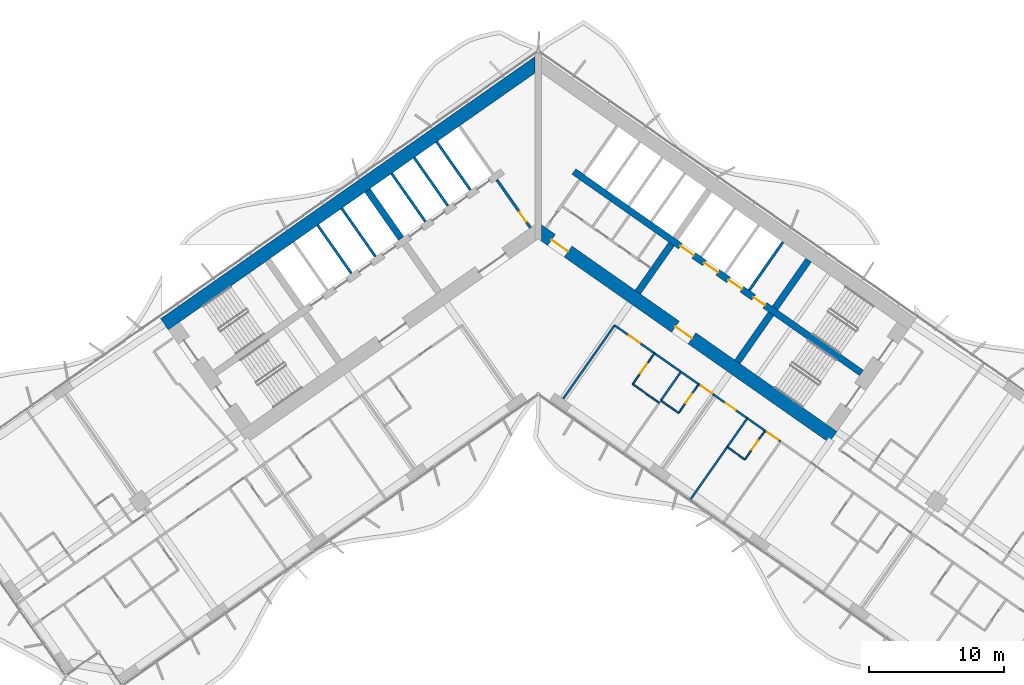
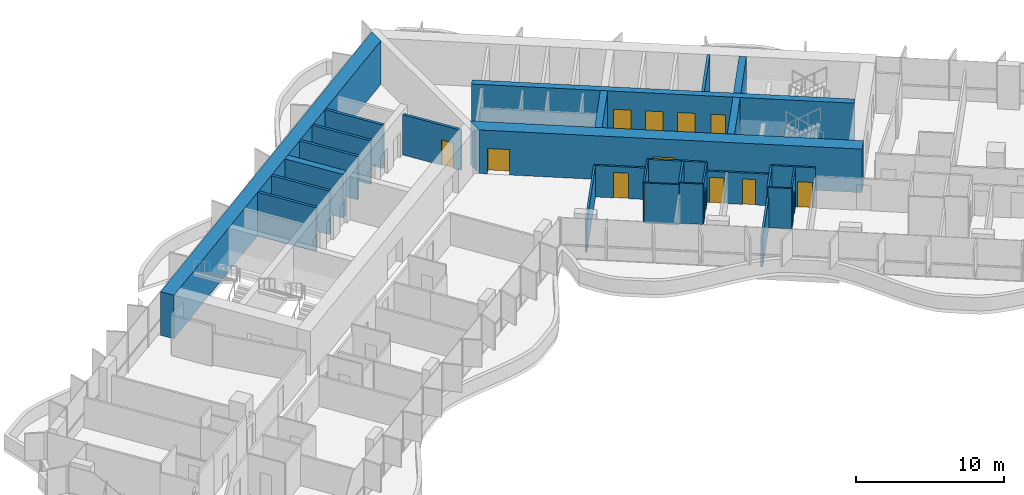
# One storey, part 15 of 24: 31 walls, 14 doors, 14 openings.
"""IFC4 building model written with IfcOpenShell, lengths in metres."""

from ifc_helpers import new_model, si_unit, direction, frame, frame_2d, origin, place, context, subcontext, project, spatial, polyline, rectangle, outline, extrude, material, layer, layer_set, type_object, element, fill, save


model = new_model("IFC4")

# Units and contexts
model_context = context("Model", 3, precision=1e-05, world=origin(), true_north=direction((0.0, 1.0)))
body_context = subcontext(model_context, "Body", "Model", "MODEL_VIEW")
ifc_project = project(units=[si_unit("LENGTHUNIT", "METRE"), si_unit("AREAUNIT", "SQUARE_METRE"), si_unit("VOLUMEUNIT", "CUBIC_METRE"), si_unit("PLANEANGLEUNIT", "RADIAN"), si_unit("MASSUNIT", "GRAM", prefix="KILO")], contexts=[model_context])

# Site, building, storey
site_placement = place(None, origin())
site = spatial("IfcSite", under=ifc_project, at=site_placement, CompositionType="ELEMENT")
building_placement = place(site_placement, origin())
building = spatial("IfcBuilding", under=site, at=building_placement, Name="Tel Ilan Convention Tower", CompositionType="ELEMENT")
storey_placement = place(building_placement, frame((0.0, 0.0, 65.300048828125)))
storey = spatial("IfcBuildingStorey", under=building, at=storey_placement, Name="L11", CompositionType="ELEMENT", Elevation=65.300048828125)

# Wall, opening, door
ifc_material_1 = material(Name="Concrete C30/37", Category="concrete")
ifc_layer_1 = layer(ifc_material_1, 0.199951171875)
ifc_layer_set_1 = layer_set([ifc_layer_1], Name="Core Service Room Wall 200 mm C30/37")
wall_type_1 = type_object("IfcWallType", Name="Core Service Room Wall 200 mm C30/37", PredefinedType="SOLIDWALL", material=ifc_layer_set_1)
wall_1_placement = place(storey_placement, frame((-0.573486328125, -0.401611328125, 0.0), z_axis=(0.0, 0.0, 1.0), x_axis=(-0.57356780395, 0.819158088694, 0.0)))
wall_1 = element("IfcWall", 1, at=wall_1_placement, inside=storey, type_object=wall_type_1, Name="L11 core wall apex-W", PredefinedType="SOLIDWALL", context=body_context, shape_type="SweptSolid", body=[
    extrude(rectangle(XDim=4.35009765625, YDim=0.199951171875, at=frame_2d((2.175048828125, 0.0))), origin(), (0.0, 0.0, 1.0), 3.320068359375),
])
opening_1_placement = place(wall_1_placement, frame((0.550048828125, 0.0, 0.0)))
opening_1 = element("IfcOpeningElement", 2, at=opening_1_placement, cuts=wall_1, Name="Opening CD1202", PredefinedType="OPENING", context=body_context, shape_type="SweptSolid", body=[
    extrude(rectangle(XDim=0.89990234375, YDim=2.10009765625, at=frame_2d((0.449951171875, 1.050048828125))), frame((0.0, 0.10986328125, 0.0), z_axis=(0.0, -1.0, 0.0), x_axis=(1.0, 0.0, 0.0)), (0.0, 0.0, 1.0), 0.219970703125),
])
ifc_material_2 = material(Name="Galvanised Steel Door Leaf", Category="steel")
door_type_1 = type_object("IfcDoorType", Name="Service Room Door 900 x 2100 FD60", OperationType="NOTDEFINED", PredefinedType="DOOR", material=ifc_material_2)
door_1_placement = place(opening_1_placement, origin())
door_1 = element("IfcDoor", 3, at=door_1_placement, inside=storey, type_object=door_type_1, Name="Telecom Room door", OperationType="SINGLE_SWING_RIGHT", OverallHeight=2.10009765625, OverallWidth=0.89990234375, PredefinedType="DOOR", context=body_context, shape_type="SweptSolid", body=[
    extrude(rectangle(XDim=0.89990234375, YDim=2.10009765625, at=frame_2d((0.449951171875, 1.050048828125))), frame((0.0, 0.02490234375, 0.0), z_axis=(0.0, -1.0, 0.0), x_axis=(1.0, 0.0, 0.0)), (0.0, 0.0, 1.0), 0.050048828125),
])
fill(opening_1, door_1)

# Wall
ifc_material_3 = material(Name="Concrete C60/75", Category="concrete")
ifc_layer_2 = layer(ifc_material_3, 1.0)
ifc_layer_set_2 = layer_set([ifc_layer_2], Name="Core Shear Wall 1000 mm C60/75")
wall_type_2 = type_object("IfcWallType", Name="Core Shear Wall 1000 mm C60/75", PredefinedType="SHEAR", material=ifc_layer_set_2)
wall_2_placement = place(storey_placement, frame((0.036865234375, 11.8671875, 0.0), z_axis=(0.0, 0.0, 1.0), x_axis=(-0.819155306259, -0.573571777746, 0.0)))
element("IfcWall", 4, at=wall_2_placement, inside=storey, type_object=wall_type_2, Name="L11 core wall W-back", PredefinedType="SHEAR", context=body_context, shape_type="SweptSolid", body=[
    extrude(outline(polyline([(33.8369140625, 0.5), (0.7001953125, 0.499755859375), (0.0, -0.5), (33.8369140625, -0.5), (33.8369140625, 0.5)])), origin(), (0.0, 0.0, 1.0), 3.599853515625),
])

# Wall, openings, doors
wall_3_placement = place(storey_placement, frame((-0.036865234375, -0.584716796875, 0.0), z_axis=(0.0, 0.0, 1.0), x_axis=(0.819157152511, -0.573569140985, 0.0)))
wall_3 = element("IfcWall", 5, at=wall_3_placement, inside=storey, type_object=wall_type_2, Name="L11 core wall E-front", PredefinedType="SHEAR", context=body_context, shape_type="SweptSolid", body=[
    extrude(outline(polyline([(26.69482421875, 0.499755859375), (0.0, 0.5), (0.7001953125, -0.499755859375), (26.69482421875, -0.500244140625), (26.69482421875, 0.499755859375)])), origin(), (0.0, 0.0, 1.0), 3.599853515625),
])
opening_2_placement = place(wall_3_placement, frame((1.244873046875, 0.0, 0.0)))
opening_2 = element("IfcOpeningElement", 6, at=opening_2_placement, cuts=wall_3, Name="Opening CD1203", PredefinedType="OPENING", context=body_context, shape_type="SweptSolid", body=[
    extrude(rectangle(XDim=1.5, YDim=2.10009765625, at=frame_2d((0.75, 1.050048828125))), frame((0.0, 0.510009765625, 0.0), z_axis=(0.0, -1.0, 0.0), x_axis=(1.0, 0.0, 0.0)), (0.0, 0.0, 1.0), 1.02001953125),
])
opening_3_placement = place(wall_3_placement, frame((12.44482421875, 0.0, 0.0)))
opening_3 = element("IfcOpeningElement", 7, at=opening_3_placement, cuts=wall_3, Name="Opening CD1204", PredefinedType="OPENING", context=body_context, shape_type="SweptSolid", body=[
    extrude(rectangle(XDim=1.5, YDim=2.10009765625, at=frame_2d((0.75, 1.050048828125))), frame((0.0, 0.510009765625, 0.0), z_axis=(0.0, -1.0, 0.0), x_axis=(1.0, 0.0, 0.0)), (0.0, 0.0, 1.0), 1.02001953125),
])
ifc_material_4 = material(Name="Glazed Aluminium Door Leaf", Category="aluminium")
door_type_2 = type_object("IfcDoorType", Name="Lobby Opening Door 1500 x 2100 FD60S", OperationType="NOTDEFINED", PredefinedType="DOOR", material=ifc_material_4)
door_2_placement = place(opening_3_placement, origin())
door_2 = element("IfcDoor", 8, at=door_2_placement, inside=storey, type_object=door_type_2, Name="Firefighting Lobby door", OperationType="DOUBLE_DOOR_SINGLE_SWING", OverallHeight=2.10009765625, OverallWidth=1.5, PredefinedType="DOOR", context=body_context, shape_type="SweptSolid", body=[
    extrude(rectangle(XDim=1.5, YDim=2.10009765625, at=frame_2d((0.75, 1.050048828125))), frame((0.0, 0.02490234375, 0.0), z_axis=(0.0, -1.0, 0.0), x_axis=(1.0, 0.0, 0.0)), (0.0, 0.0, 1.0), 0.050048828125),
])
fill(opening_3, door_2)
ifc_material_5 = material(Name="Laminated Timber Door Leaf", Category="wood")
door_type_3 = type_object("IfcDoorType", Name="Toilet Door 1500 x 2100 FD30S", OperationType="NOTDEFINED", PredefinedType="DOOR", material=ifc_material_5)
door_3_placement = place(opening_2_placement, origin())
door_3 = element("IfcDoor", 9, at=door_3_placement, inside=storey, type_object=door_type_3, Name="WC Lobby door", OperationType="SINGLE_SWING_RIGHT", OverallHeight=2.10009765625, OverallWidth=1.5, PredefinedType="DOOR", context=body_context, shape_type="SweptSolid", body=[
    extrude(rectangle(XDim=1.5, YDim=2.10009765625, at=frame_2d((0.75, 1.050048828125))), frame((0.0, 0.02490234375, 0.0), z_axis=(0.0, -1.0, 0.0), x_axis=(1.0, 0.0, 0.0)), (0.0, 0.0, 1.0), 0.050048828125),
])
fill(opening_2, door_3)

# Walls
ifc_material_6 = material(Name="Concrete C60/75", Category="concrete")
ifc_layer_3 = layer(ifc_material_6, 0.5)
ifc_layer_set_3 = layer_set([ifc_layer_3], Name="Core Shear Wall 500 mm C60/75")
wall_type_3 = type_object("IfcWallType", Name="Core Shear Wall 500 mm C60/75", PredefinedType="SHEAR", material=ifc_layer_set_3)
wall_4_placement = place(storey_placement, frame((-10.154296875, -1.189208984375, 0.0), z_axis=(0.0, 0.0, 1.0), x_axis=(-0.573594173421, 0.819139624372, 0.0)))
element("IfcWall", 10, at=wall_4_placement, inside=storey, type_object=wall_type_3, Name="L11 core wall W-cross1-2", PredefinedType="SHEAR", context=body_context, shape_type="SweptSolid", body=[
    extrude(outline(polyline([(4.349853515625, -0.25), (4.349853515625, 0.25), (-0.000244140625, 0.25), (-0.000244140625, -0.25), (4.349853515625, -0.25)])), origin(), (0.0, 0.0, 1.0), 3.599853515625),
])
wall_5_placement = place(storey_placement, frame((7.372314453125, -5.162109375, 0.0), z_axis=(0.0, 0.0, 1.0), x_axis=(0.573594173421, 0.819139624372, 0.0)))
element("IfcWall", 11, at=wall_5_placement, inside=storey, type_object=wall_type_3, Name="L11 core wall E-cross1-1", PredefinedType="SHEAR", context=body_context, shape_type="SweptSolid", body=[
    extrude(outline(polyline([(0.0, 0.25), (0.0, -0.250244140625), (4.349853515625, -0.25), (4.349853515625, 0.25), (0.0, 0.25)])), origin(), (0.0, 0.0, 1.0), 3.599853515625),
])
wall_6_placement = place(storey_placement, frame((14.74462890625, -10.324462890625, 0.0), z_axis=(0.0, 0.0, 1.0), x_axis=(0.57356780395, 0.819158088694, 0.0)))
element("IfcWall", 12, at=wall_6_placement, inside=storey, type_object=wall_type_3, Name="L11 core wall E-cross2-1", PredefinedType="SHEAR", context=body_context, shape_type="SweptSolid", body=[
    extrude(outline(polyline([(0.0, 0.25), (0.0, -0.25), (4.35009765625, -0.250244140625), (4.35009765625, 0.25), (0.0, 0.25)])), origin(), (0.0, 0.0, 1.0), 3.599853515625),
])
wall_7_placement = place(storey_placement, frame((17.526611328125, -6.3515625, 0.0), z_axis=(0.0, 0.0, 1.0), x_axis=(0.573530143085, 0.819184457233, 0.0)))
element("IfcWall", 13, at=wall_7_placement, inside=storey, type_object=wall_type_3, Name="L11 core wall E-cross2-2", PredefinedType="SHEAR", context=body_context, shape_type="SweptSolid", body=[
    extrude(outline(polyline([(4.35009765625, -0.250244140625), (4.35009765625, 0.249755859375), (0.0, 0.25), (0.0, -0.25), (4.35009765625, -0.250244140625)])), origin(), (0.0, 0.0, 1.0), 3.599853515625),
])

# Wall, openings, doors
wall_8_placement = place(storey_placement, frame((2.638427734375, 3.76806640625, 0.0), z_axis=(0.0, 0.0, 1.0), x_axis=(0.819148977158, -0.573580816643, 0.0)))
wall_8 = element("IfcWall", 14, at=wall_8_placement, inside=storey, type_object=wall_type_3, Name="L11 core wall E-spine", PredefinedType="SHEAR", context=body_context, shape_type="SweptSolid", body=[
    extrude(outline(polyline([(0.0, 0.25), (0.0, -0.25), (26.0, -0.249755859375), (26.0, 0.250244140625), (0.0, 0.25)])), origin(), (0.0, 0.0, 1.0), 3.599853515625),
])
opening_4_placement = place(wall_8_placement, frame((9.637451171875, 0.0, 0.0)))
opening_4 = element("IfcOpeningElement", 15, at=opening_4_placement, cuts=wall_8, Name="Opening LD1201", PredefinedType="OPENING", context=body_context, shape_type="SweptSolid", body=[
    extrude(rectangle(XDim=1.199951171875, YDim=2.10009765625, at=frame_2d((0.60009765625, 1.050048828125))), frame((0.0, 0.260009765625, 0.0), z_axis=(0.0, -1.0, 0.0), x_axis=(1.0, 0.0, 0.0)), (0.0, 0.0, 1.0), 0.52001953125),
])
opening_5_placement = place(wall_8_placement, frame((11.8125, 0.0, 0.0)))
opening_5 = element("IfcOpeningElement", 16, at=opening_5_placement, cuts=wall_8, Name="Opening LD1202", PredefinedType="OPENING", context=body_context, shape_type="SweptSolid", body=[
    extrude(rectangle(XDim=1.199951171875, YDim=2.10009765625, at=frame_2d((0.60009765625, 1.050048828125))), frame((0.0, 0.260009765625, 0.0), z_axis=(0.0, -1.0, 0.0), x_axis=(1.0, 0.0, 0.0)), (0.0, 0.0, 1.0), 0.52001953125),
])
opening_6_placement = place(wall_8_placement, frame((13.987548828125, 0.0, 0.0)))
opening_6 = element("IfcOpeningElement", 17, at=opening_6_placement, cuts=wall_8, Name="Opening LD1203", PredefinedType="OPENING", context=body_context, shape_type="SweptSolid", body=[
    extrude(rectangle(XDim=1.199951171875, YDim=2.10009765625, at=frame_2d((0.60009765625, 1.050048828125))), frame((0.0, 0.260009765625, 0.0), z_axis=(0.0, -1.0, 0.0), x_axis=(1.0, 0.0, 0.0)), (0.0, 0.0, 1.0), 0.52001953125),
])
opening_7_placement = place(wall_8_placement, frame((16.262451171875, 0.0, 0.0)))
opening_7 = element("IfcOpeningElement", 18, at=opening_7_placement, cuts=wall_8, Name="Opening CD1207", PredefinedType="OPENING", context=body_context, shape_type="SweptSolid", body=[
    extrude(rectangle(XDim=1.0, YDim=2.10009765625, at=frame_2d((0.5, 1.050048828125))), frame((0.0, 0.260009765625, 0.0), z_axis=(0.0, -1.0, 0.0), x_axis=(1.0, 0.0, 0.0)), (0.0, 0.0, 1.0), 0.52001953125),
])
ifc_material_7 = material(Name="Stainless Steel Sliding Door Leaf", Category="steel")
door_type_4 = type_object("IfcDoorType", Name="Lift Landing Door 1200 x 2100 FD120", OperationType="NOTDEFINED", PredefinedType="DOOR", material=ifc_material_7)
door_4_placement = place(opening_4_placement, origin())
door_4 = element("IfcDoor", 19, at=door_4_placement, inside=storey, type_object=door_type_4, Name="Lift FL1 landing door", OperationType="SLIDING_TO_LEFT", OverallHeight=2.10009765625, OverallWidth=1.199951171875, PredefinedType="DOOR", context=body_context, shape_type="SweptSolid", body=[
    extrude(rectangle(XDim=1.199951171875, YDim=2.10009765625, at=frame_2d((0.60009765625, 1.050048828125))), frame((0.0, 0.02490234375, 0.0), z_axis=(0.0, -1.0, 0.0), x_axis=(1.0, 0.0, 0.0)), (0.0, 0.0, 1.0), 0.050048828125),
])
fill(opening_4, door_4)
door_5_placement = place(opening_5_placement, origin())
door_5 = element("IfcDoor", 20, at=door_5_placement, inside=storey, type_object=door_type_4, Name="Lift FL2 landing door", OperationType="SLIDING_TO_RIGHT", OverallHeight=2.10009765625, OverallWidth=1.199951171875, PredefinedType="DOOR", context=body_context, shape_type="SweptSolid", body=[
    extrude(rectangle(XDim=1.199951171875, YDim=2.10009765625, at=frame_2d((0.60009765625, 1.050048828125))), frame((0.0, 0.02490234375, 0.0), z_axis=(0.0, -1.0, 0.0), x_axis=(1.0, 0.0, 0.0)), (0.0, 0.0, 1.0), 0.050048828125),
])
fill(opening_5, door_5)
door_6_placement = place(opening_6_placement, origin())
door_6 = element("IfcDoor", 21, at=door_6_placement, inside=storey, type_object=door_type_4, Name="Lift FL3 landing door", OperationType="SLIDING_TO_LEFT", OverallHeight=2.10009765625, OverallWidth=1.199951171875, PredefinedType="DOOR", context=body_context, shape_type="SweptSolid", body=[
    extrude(rectangle(XDim=1.199951171875, YDim=2.10009765625, at=frame_2d((0.60009765625, 1.050048828125))), frame((0.0, 0.02490234375, 0.0), z_axis=(0.0, -1.0, 0.0), x_axis=(1.0, 0.0, 0.0)), (0.0, 0.0, 1.0), 0.050048828125),
])
fill(opening_6, door_6)
ifc_material_8 = material(Name="Galvanised Steel Door Leaf", Category="steel")
door_type_5 = type_object("IfcDoorType", Name="Service Room Door 1000 x 2100 FD60", OperationType="NOTDEFINED", PredefinedType="DOOR", material=ifc_material_8)
door_7_placement = place(opening_7_placement, origin())
door_7 = element("IfcDoor", 22, at=door_7_placement, inside=storey, type_object=door_type_5, Name="Plant Room door", OperationType="SINGLE_SWING_RIGHT", OverallHeight=2.10009765625, OverallWidth=1.0, PredefinedType="DOOR", context=body_context, shape_type="SweptSolid", body=[
    extrude(rectangle(XDim=1.0, YDim=2.10009765625, at=frame_2d((0.5, 1.050048828125))), frame((0.0, 0.02490234375, 0.0), z_axis=(0.0, -1.0, 0.0), x_axis=(1.0, 0.0, 0.0)), (0.0, 0.0, 1.0), 0.050048828125),
])
fill(opening_7, door_7)

# Wall, opening, door
ifc_material_9 = material(Name="Plasterboard on Steel Studs", Category="steel")
ifc_layer_4 = layer(ifc_material_9, 0.14990234375)
ifc_layer_set_4 = layer_set([ifc_layer_4], Name="Fire-rated Partition 150 EI 60")
wall_type_4 = type_object("IfcWallType", Name="Fire-rated Partition 150 EI 60", PredefinedType="PARTITIONING", material=ifc_layer_set_4)
wall_9_placement = place(storey_placement, frame((8.601318359375, -9.68505859375, 0.0), z_axis=(0.0, 0.0, 1.0), x_axis=(-0.819149096931, 0.573580645591, 0.0)))
wall_9 = element("IfcWall", 23, at=wall_9_placement, inside=storey, type_object=wall_type_4, Name="Partition 007", PredefinedType="PARTITIONING", context=body_context, shape_type="SweptSolid", body=[
    extrude(rectangle(XDim=3.600830078125, YDim=0.14990234375, at=frame_2d((1.80029296875, 0.0))), origin(), (0.0, 0.0, 1.0), 2.599853515625),
])
opening_8_placement = place(wall_9_placement, frame((1.301025390625, 0.0, 0.0)))
opening_8 = element("IfcOpeningElement", 24, at=opening_8_placement, cuts=wall_9, Name="Opening L11-020", PredefinedType="OPENING", context=body_context, shape_type="SweptSolid", body=[
    extrude(rectangle(XDim=1.0, YDim=2.10009765625, at=frame_2d((0.5, 1.050048828125))), frame((0.0, 0.0849609375, 0.0), z_axis=(0.0, -1.0, 0.0), x_axis=(1.0, 0.0, 0.0)), (0.0, 0.0, 1.0), 0.169921875),
])
ifc_material_10 = material(Name="Timber Door Leaf in Steel Frame", Category="steel")
door_type_6 = type_object("IfcDoorType", Name="Hotel Room Entrance Fire Door 1000x2100", OperationType="NOTDEFINED", PredefinedType="DOOR", material=ifc_material_10)
door_8_placement = place(opening_8_placement, origin())
door_8 = element("IfcDoor", 25, at=door_8_placement, inside=storey, type_object=door_type_6, Name="Door L11-020", OperationType="SINGLE_SWING_RIGHT", OverallHeight=2.10009765625, OverallWidth=1.0, PredefinedType="DOOR", context=body_context, shape_type="SweptSolid", body=[
    extrude(rectangle(XDim=1.0, YDim=2.10009765625, at=frame_2d((0.5, 1.050048828125))), frame((0.0, 0.02490234375, 0.0), z_axis=(0.0, -1.0, 0.0), x_axis=(1.0, 0.0, 0.0)), (0.0, 0.0, 1.0), 0.050048828125),
])
fill(opening_8, door_8)

# Wall
wall_10_placement = place(storey_placement, frame((10.568115234375, -11.062255859375, 0.0), z_axis=(0.0, 0.0, 1.0), x_axis=(-0.819146032251, 0.573585022335, 0.0)))
element("IfcWall", 26, at=wall_10_placement, inside=storey, type_object=wall_type_4, Name="Partition 008", PredefinedType="PARTITIONING", context=body_context, shape_type="SweptSolid", body=[
    extrude(rectangle(XDim=2.404052734375, YDim=0.14990234375, at=frame_2d((1.2021484375, 0.0))), origin(), (0.0, 0.0, 1.0), 3.320068359375),
])

# Wall, opening, door
wall_11_placement = place(storey_placement, frame((13.025634765625, -12.782958984375, 0.0), z_axis=(0.0, 0.0, 1.0), x_axis=(-0.81914197737, 0.573590813132, 0.0)))
wall_11 = element("IfcWall", 27, at=wall_11_placement, inside=storey, type_object=wall_type_4, Name="Partition 009", PredefinedType="PARTITIONING", context=body_context, shape_type="SweptSolid", body=[
    extrude(rectangle(XDim=1.40283203125, YDim=0.14990234375, at=frame_2d((0.701416015625, 0.0))), origin(), (0.0, 0.0, 1.0), 2.599853515625),
])
opening_9_placement = place(wall_11_placement, frame((0.201904296875, 0.0, 0.0)))
opening_9 = element("IfcOpeningElement", 28, at=opening_9_placement, cuts=wall_11, Name="Opening L11-022", PredefinedType="OPENING", context=body_context, shape_type="SweptSolid", body=[
    extrude(rectangle(XDim=1.0, YDim=2.10009765625, at=frame_2d((0.5, 1.050048828125))), frame((0.0, 0.0849609375, 0.0), z_axis=(0.0, -1.0, 0.0), x_axis=(1.0, 0.0, 0.0)), (0.0, 0.0, 1.0), 0.169921875),
])
door_9_placement = place(opening_9_placement, origin())
door_9 = element("IfcDoor", 29, at=door_9_placement, inside=storey, type_object=door_type_6, Name="Door L11-022", OperationType="SINGLE_SWING_LEFT", OverallHeight=2.10009765625, OverallWidth=1.0, PredefinedType="DOOR", context=body_context, shape_type="SweptSolid", body=[
    extrude(rectangle(XDim=1.0, YDim=2.10009765625, at=frame_2d((0.5, 1.050048828125))), frame((0.0, 0.02490234375, 0.0), z_axis=(0.0, -1.0, 0.0), x_axis=(1.0, 0.0, 0.0)), (0.0, 0.0, 1.0), 0.050048828125),
])
fill(opening_9, door_9)

# Wall
wall_12_placement = place(storey_placement, frame((11.87890625, -11.97998046875, 0.0), z_axis=(0.0, 0.0, 1.0), x_axis=(-0.819189013667, 0.573523634986, 0.0)))
element("IfcWall", 30, at=wall_12_placement, inside=storey, type_object=wall_type_4, Name="Partition 010", PredefinedType="PARTITIONING", context=body_context, shape_type="SweptSolid", body=[
    extrude(rectangle(XDim=1.60400390625, YDim=0.14990234375, at=frame_2d((0.802001953125, 0.0))), origin(), (0.0, 0.0, 1.0), 3.320068359375),
])

# Wall, opening, door
wall_13_placement = place(storey_placement, frame((15.483154296875, -14.503662109375, 0.0), z_axis=(0.0, 0.0, 1.0), x_axis=(-0.81916700466, 0.573555070134, 0.0)))
wall_13 = element("IfcWall", 31, at=wall_13_placement, inside=storey, type_object=wall_type_4, Name="Partition 011", PredefinedType="PARTITIONING", context=body_context, shape_type="SweptSolid", body=[
    extrude(rectangle(XDim=3.00390625, YDim=0.14990234375, at=frame_2d((1.501953125, 0.0))), origin(), (0.0, 0.0, 1.0), 2.599853515625),
])
opening_10_placement = place(wall_13_placement, frame((1.052001953125, 0.0, 0.0)))
opening_10 = element("IfcOpeningElement", 32, at=opening_10_placement, cuts=wall_13, Name="Opening L11-023", PredefinedType="OPENING", context=body_context, shape_type="SweptSolid", body=[
    extrude(rectangle(XDim=0.89990234375, YDim=2.10009765625, at=frame_2d((0.449951171875, 1.050048828125))), frame((0.0, 0.0849609375, 0.0), z_axis=(0.0, -1.0, 0.0), x_axis=(1.0, 0.0, 0.0)), (0.0, 0.0, 1.0), 0.169921875),
])
ifc_material_11 = material(Name="Timber Door Leaf in Steel Frame", Category="steel")
door_type_7 = type_object("IfcDoorType", Name="Room Fire Door 900x2100", OperationType="NOTDEFINED", PredefinedType="DOOR", material=ifc_material_11)
door_10_placement = place(opening_10_placement, origin())
door_10 = element("IfcDoor", 33, at=door_10_placement, inside=storey, type_object=door_type_7, Name="Door L11-023", OperationType="SINGLE_SWING_RIGHT", OverallHeight=2.10009765625, OverallWidth=0.89990234375, PredefinedType="DOOR", context=body_context, shape_type="SweptSolid", body=[
    extrude(rectangle(XDim=0.89990234375, YDim=2.10009765625, at=frame_2d((0.449951171875, 1.050048828125))), frame((0.0, 0.02490234375, 0.0), z_axis=(0.0, -1.0, 0.0), x_axis=(1.0, 0.0, 0.0)), (0.0, 0.0, 1.0), 0.050048828125),
])
fill(opening_10, door_10)

wall_14_placement = place(storey_placement, frame((17.940673828125, -16.224365234375, 0.0), z_axis=(0.0, 0.0, 1.0), x_axis=(-0.819199220913, 0.573509055252, 0.0)))
wall_14 = element("IfcWall", 34, at=wall_14_placement, inside=storey, type_object=wall_type_4, Name="Partition 012", PredefinedType="PARTITIONING", context=body_context, shape_type="SweptSolid", body=[
    extrude(rectangle(XDim=1.403076171875, YDim=0.14990234375, at=frame_2d((0.70166015625, 0.0))), origin(), (0.0, 0.0, 1.0), 3.320068359375),
])
opening_11_placement = place(wall_14_placement, frame((0.201904296875, 0.0, 0.0)))
opening_11 = element("IfcOpeningElement", 35, at=opening_11_placement, cuts=wall_14, Name="Opening L11-025", PredefinedType="OPENING", context=body_context, shape_type="SweptSolid", body=[
    extrude(rectangle(XDim=1.0, YDim=2.10009765625, at=frame_2d((0.5, 1.050048828125))), frame((0.0, 0.0849609375, 0.0), z_axis=(0.0, -1.0, 0.0), x_axis=(1.0, 0.0, 0.0)), (0.0, 0.0, 1.0), 0.169921875),
])
door_11_placement = place(opening_11_placement, origin())
door_11 = element("IfcDoor", 36, at=door_11_placement, inside=storey, type_object=door_type_6, Name="Door L11-025", OperationType="SINGLE_SWING_RIGHT", OverallHeight=2.10009765625, OverallWidth=1.0, PredefinedType="DOOR", context=body_context, shape_type="SweptSolid", body=[
    extrude(rectangle(XDim=1.0, YDim=2.10009765625, at=frame_2d((0.5, 1.050048828125))), frame((0.0, 0.02490234375, 0.0), z_axis=(0.0, -1.0, 0.0), x_axis=(1.0, 0.0, 0.0)), (0.0, 0.0, 1.0), 0.050048828125),
])
fill(opening_11, door_11)

# Walls
wall_15_placement = place(storey_placement, frame((16.793701171875, -15.42138671875, 0.0), z_axis=(0.0, 0.0, 1.0), x_axis=(-0.819189013667, 0.573523634986, 0.0)))
element("IfcWall", 37, at=wall_15_placement, inside=storey, type_object=wall_type_4, Name="Partition 013", PredefinedType="PARTITIONING", context=body_context, shape_type="SweptSolid", body=[
    extrude(rectangle(XDim=1.60400390625, YDim=0.14990234375, at=frame_2d((0.802001953125, 0.0))), origin(), (0.0, 0.0, 1.0), 3.320068359375),
])
wall_16_placement = place(storey_placement, frame((1.848876953125, -13.050537109375, 0.0), z_axis=(0.0, 0.0, 1.0), x_axis=(0.57357355307, 0.819154063177, 0.0)))
element("IfcWall", 38, at=wall_16_placement, inside=storey, type_object=wall_type_4, Name="Partition 055", PredefinedType="PARTITIONING", context=body_context, shape_type="SweptSolid", body=[
    extrude(rectangle(XDim=6.6298828125, YDim=0.14990234375, at=frame_2d((3.31494140625, 0.0))), origin(), (0.0, 0.0, 1.0), 2.599853515625),
])
wall_17_placement = place(storey_placement, frame((10.566650390625, -11.06103515625, 0.0), z_axis=(0.0, 0.0, 1.0), x_axis=(-0.573588285102, -0.819143747577, 0.0)))
element("IfcWall", 39, at=wall_17_placement, inside=storey, type_object=wall_type_4, Name="Partition 056", PredefinedType="PARTITIONING", context=body_context, shape_type="SweptSolid", body=[
    extrude(rectangle(XDim=2.601806640625, YDim=0.14990234375, at=frame_2d((1.30078125, 0.0))), origin(), (0.0, 0.0, 1.0), 3.320068359375),
])
wall_18_placement = place(storey_placement, frame((13.99072265625, -16.631591796875, 0.0), z_axis=(0.0, 0.0, 1.0), x_axis=(-0.573563420358, -0.819161158032, 0.0)))
element("IfcWall", 40, at=wall_18_placement, inside=storey, type_object=wall_type_4, Name="Partition 060", PredefinedType="PARTITIONING", context=body_context, shape_type="SweptSolid", body=[
    extrude(rectangle(XDim=4.700927734375, YDim=0.14990234375, at=frame_2d((2.3505859375, 0.0))), origin(), (0.0, 0.0, 1.0), 2.5),
])
wall_19_placement = place(storey_placement, frame((15.4814453125, -14.502685546875, 0.0), z_axis=(0.0, 0.0, 1.0), x_axis=(-0.573588285102, -0.819143747577, 0.0)))
element("IfcWall", 41, at=wall_19_placement, inside=storey, type_object=wall_type_4, Name="Partition 061", PredefinedType="PARTITIONING", context=body_context, shape_type="SweptSolid", body=[
    extrude(rectangle(XDim=2.601806640625, YDim=0.14990234375, at=frame_2d((1.30078125, 0.0))), origin(), (0.0, 0.0, 1.0), 3.320068359375),
])
ifc_material_12 = material(Name="Concrete C30/37", Category="concrete")
ifc_layer_5 = layer(ifc_material_12, 0.199951171875)
ifc_layer_set_5 = layer_set([ifc_layer_5], Name="Lift Shaft Wall 200 mm C30/37")
wall_type_5 = type_object("IfcWallType", Name="Lift Shaft Wall 200 mm C30/37", PredefinedType="SOLIDWALL", material=ifc_layer_set_5)
wall_20_placement = place(storey_placement, frame((-5.0244140625, 2.402587890625, 0.0), z_axis=(0.0, 0.0, 1.0), x_axis=(-0.573530143085, 0.819184457233, 0.0)))
element("IfcWall", 42, at=wall_20_placement, inside=storey, type_object=wall_type_5, Name="L11 core wall bank-W1-p0", PredefinedType="SOLIDWALL", context=body_context, shape_type="SweptSolid", body=[
    extrude(rectangle(XDim=4.35009765625, YDim=0.199951171875, at=frame_2d((2.175048828125, 0.0))), origin(), (0.0, 0.0, 1.0), 3.599853515625),
])
for number, where, z_axis, x_axis, name in (
    (43, (-6.693359375, 1.234130859375, 0.0), (0.0, 0.0, 1.0), (-0.573594173421, 0.819139624372, 0.0), "L11 core wall bank-W1-p1"),
    (44, (-8.3623046875, 0.0654296875, 0.0), (0.0, 0.0, 1.0), (-0.573594173421, 0.819139624372, 0.0), "L11 core wall bank-W1-p2"),
    (45, (-12.05859375, -2.52294921875, 0.0), (0.0, 0.0, 1.0), (-0.573594173421, 0.819139624372, 0.0), "L11 core wall bank-W2-p0"),
):
    element("IfcWall", number, at=place(storey_placement, frame(where, z_axis=z_axis, x_axis=x_axis)), inside=storey, type_object=wall_type_5, Name=name, PredefinedType="SOLIDWALL", context=body_context, shape_type="SweptSolid", body=[
        extrude(rectangle(XDim=4.349853515625, YDim=0.199951171875, at=frame_2d((2.1748046875, 0.0))), origin(), (0.0, 0.0, 1.0), 3.599853515625),
    ])
wall_21_placement = place(storey_placement, frame((-13.84033203125, -3.7705078125, 0.0), z_axis=(0.0, 0.0, 1.0), x_axis=(-0.57356780395, 0.819158088694, 0.0)))
element("IfcWall", 46, at=wall_21_placement, inside=storey, type_object=wall_type_5, Name="L11 core wall bank-W2-p1", PredefinedType="SOLIDWALL", context=body_context, shape_type="SweptSolid", body=[
    extrude(rectangle(XDim=4.35009765625, YDim=0.199951171875, at=frame_2d((2.175048828125, 0.0))), origin(), (0.0, 0.0, 1.0), 3.599853515625),
])
wall_22_placement = place(storey_placement, frame((15.6220703125, -5.017822265625, 0.0), z_axis=(0.0, 0.0, 1.0), x_axis=(0.573594173421, 0.819139624372, 0.0)))
element("IfcWall", 47, at=wall_22_placement, inside=storey, type_object=wall_type_5, Name="L11 core wall bank-E2-p2", PredefinedType="SOLIDWALL", context=body_context, shape_type="SweptSolid", body=[
    extrude(rectangle(XDim=4.349853515625, YDim=0.199951171875, at=frame_2d((2.1748046875, 0.0))), origin(), (0.0, 0.0, 1.0), 3.599853515625),
])

# Wall, opening, door
ifc_material_13 = material(Name="Plasterboard on Steel Studs", Category="steel")
ifc_layer_6 = layer(ifc_material_13, 0.1201171875)
ifc_layer_set_6 = layer_set([ifc_layer_6], Name="Moisture-resistant Partition 120")
wall_type_6 = type_object("IfcWallType", Name="Moisture-resistant Partition 120", PredefinedType="PARTITIONING", material=ifc_layer_set_6)
wall_23_placement = place(storey_placement, frame((8.599853515625, -9.683837890625, 0.0), z_axis=(0.0, 0.0, 1.0), x_axis=(-0.573550118428, -0.819170471667, 0.0)))
wall_23 = element("IfcWall", 48, at=wall_23_placement, inside=storey, type_object=wall_type_6, Name="Partition 052", PredefinedType="PARTITIONING", context=body_context, shape_type="SweptSolid", body=[
    extrude(rectangle(XDim=2.800048828125, YDim=0.1201171875, at=frame_2d((1.39990234375, 0.0))), origin(), (0.0, 0.0, 1.0), 3.320068359375),
])
opening_12_placement = place(wall_23_placement, frame((0.97509765625, 0.0, 0.0)))
opening_12 = element("IfcOpeningElement", 49, at=opening_12_placement, cuts=wall_23, Name="Opening L11-019", PredefinedType="OPENING", context=body_context, shape_type="SweptSolid", body=[
    extrude(rectangle(XDim=0.85009765625, YDim=2.050048828125, at=frame_2d((0.425048828125, 1.02490234375))), frame((0.0, 0.070068359375, 0.0), z_axis=(0.0, -1.0, 0.0), x_axis=(1.0, 0.0, 0.0)), (0.0, 0.0, 1.0), 0.14013671875),
])
ifc_material_14 = material(Name="Timber Door Leaf in Steel Frame", Category="steel")
door_type_8 = type_object("IfcDoorType", Name="Bathroom Timber Door 850x2050", OperationType="NOTDEFINED", PredefinedType="DOOR", material=ifc_material_14)
door_12_placement = place(opening_12_placement, origin())
door_12 = element("IfcDoor", 50, at=door_12_placement, inside=storey, type_object=door_type_8, Name="Door L11-019", OperationType="SINGLE_SWING_LEFT", OverallHeight=2.050048828125, OverallWidth=0.85009765625, PredefinedType="DOOR", context=body_context, shape_type="SweptSolid", body=[
    extrude(rectangle(XDim=0.85009765625, YDim=2.050048828125, at=frame_2d((0.425048828125, 1.02490234375))), frame((0.0, 0.02490234375, 0.0), z_axis=(0.0, -1.0, 0.0), x_axis=(1.0, 0.0, 0.0)), (0.0, 0.0, 1.0), 0.050048828125),
])
fill(opening_12, door_12)

# Walls
wall_24_placement = place(storey_placement, frame((6.993896484375, -11.97900390625, 0.0), z_axis=(0.0, 0.0, 1.0), x_axis=(0.819188907105, -0.573523787192, 0.0)))
element("IfcWall", 51, at=wall_24_placement, inside=storey, type_object=wall_type_6, Name="Partition 053", PredefinedType="PARTITIONING", context=body_context, shape_type="SweptSolid", body=[
    extrude(rectangle(XDim=2.39990234375, YDim=0.1201171875, at=frame_2d((1.199951171875, 0.0))), origin(), (0.0, 0.0, 1.0), 3.320068359375),
])
wall_25_placement = place(storey_placement, frame((9.07470703125, -13.191650390625, 0.0), z_axis=(0.0, 0.0, 1.0), x_axis=(0.819131543282, -0.57360571371, 0.0)))
element("IfcWall", 52, at=wall_25_placement, inside=storey, type_object=wall_type_6, Name="Partition 057", PredefinedType="PARTITIONING", context=body_context, shape_type="SweptSolid", body=[
    extrude(rectangle(XDim=1.599853515625, YDim=0.1201171875, at=frame_2d((0.7998046875, 0.0))), origin(), (0.0, 0.0, 1.0), 3.320068359375),
])

# Wall, opening, door
wall_26_placement = place(storey_placement, frame((10.38671875, -14.109130859375, 0.0), z_axis=(0.0, 0.0, 1.0), x_axis=(0.573582085028, 0.819148089014, 0.0)))
wall_26 = element("IfcWall", 53, at=wall_26_placement, inside=storey, type_object=wall_type_6, Name="Partition 058", PredefinedType="PARTITIONING", context=body_context, shape_type="SweptSolid", body=[
    extrude(rectangle(XDim=2.599853515625, YDim=0.1201171875, at=frame_2d((1.2998046875, 0.0))), origin(), (0.0, 0.0, 1.0), 3.320068359375),
])
opening_13_placement = place(wall_26_placement, frame((0.875, 0.0, 0.0)))
opening_13 = element("IfcOpeningElement", 54, at=opening_13_placement, cuts=wall_26, Name="Opening L11-021", PredefinedType="OPENING", context=body_context, shape_type="SweptSolid", body=[
    extrude(rectangle(XDim=0.85009765625, YDim=2.050048828125, at=frame_2d((0.425048828125, 1.02490234375))), frame((0.0, 0.070068359375, 0.0), z_axis=(0.0, -1.0, 0.0), x_axis=(1.0, 0.0, 0.0)), (0.0, 0.0, 1.0), 0.14013671875),
])
door_13_placement = place(opening_13_placement, origin())
door_13 = element("IfcDoor", 55, at=door_13_placement, inside=storey, type_object=door_type_8, Name="Door L11-021", OperationType="SINGLE_SWING_RIGHT", OverallHeight=2.050048828125, OverallWidth=0.85009765625, PredefinedType="DOOR", context=body_context, shape_type="SweptSolid", body=[
    extrude(rectangle(XDim=0.85009765625, YDim=2.050048828125, at=frame_2d((0.425048828125, 1.02490234375))), frame((0.0, 0.02490234375, 0.0), z_axis=(0.0, -1.0, 0.0), x_axis=(1.0, 0.0, 0.0)), (0.0, 0.0, 1.0), 0.050048828125),
])
fill(opening_13, door_13)

# Wall
wall_27_placement = place(storey_placement, frame((13.989501953125, -16.63330078125, 0.0), z_axis=(0.0, 0.0, 1.0), x_axis=(0.819253425856, -0.573431621227, 0.0)))
element("IfcWall", 56, at=wall_27_placement, inside=storey, type_object=wall_type_6, Name="Partition 062", PredefinedType="PARTITIONING", context=body_context, shape_type="SweptSolid", body=[
    extrude(rectangle(XDim=1.60009765625, YDim=0.1201171875, at=frame_2d((0.800048828125, 0.0))), origin(), (0.0, 0.0, 1.0), 3.320068359375),
])

# Wall, opening, door
wall_28_placement = place(storey_placement, frame((15.301513671875, -17.55078125, 0.0), z_axis=(0.0, 0.0, 1.0), x_axis=(0.573600972199, 0.819134863556, 0.0)))
wall_28 = element("IfcWall", 57, at=wall_28_placement, inside=storey, type_object=wall_type_6, Name="Partition 063", PredefinedType="PARTITIONING", context=body_context, shape_type="SweptSolid", body=[
    extrude(rectangle(XDim=2.60009765625, YDim=0.1201171875, at=frame_2d((1.300048828125, 0.0))), origin(), (0.0, 0.0, 1.0), 3.320068359375),
])
opening_14_placement = place(wall_28_placement, frame((0.875, 0.0, 0.0)))
opening_14 = element("IfcOpeningElement", 58, at=opening_14_placement, cuts=wall_28, Name="Opening L11-024", PredefinedType="OPENING", context=body_context, shape_type="SweptSolid", body=[
    extrude(rectangle(XDim=0.85009765625, YDim=2.050048828125, at=frame_2d((0.425048828125, 1.02490234375))), frame((0.0, 0.070068359375, 0.0), z_axis=(0.0, -1.0, 0.0), x_axis=(1.0, 0.0, 0.0)), (0.0, 0.0, 1.0), 0.14013671875),
])
door_14_placement = place(opening_14_placement, origin())
door_14 = element("IfcDoor", 59, at=door_14_placement, inside=storey, type_object=door_type_8, Name="Door L11-024", OperationType="SINGLE_SWING_LEFT", OverallHeight=2.050048828125, OverallWidth=0.85009765625, PredefinedType="DOOR", context=body_context, shape_type="SweptSolid", body=[
    extrude(rectangle(XDim=0.85009765625, YDim=2.050048828125, at=frame_2d((0.425048828125, 1.02490234375))), frame((0.0, 0.02490234375, 0.0), z_axis=(0.0, -1.0, 0.0), x_axis=(1.0, 0.0, 0.0)), (0.0, 0.0, 1.0), 0.050048828125),
])
fill(opening_14, door_14)

save(model, "model.ifc")
